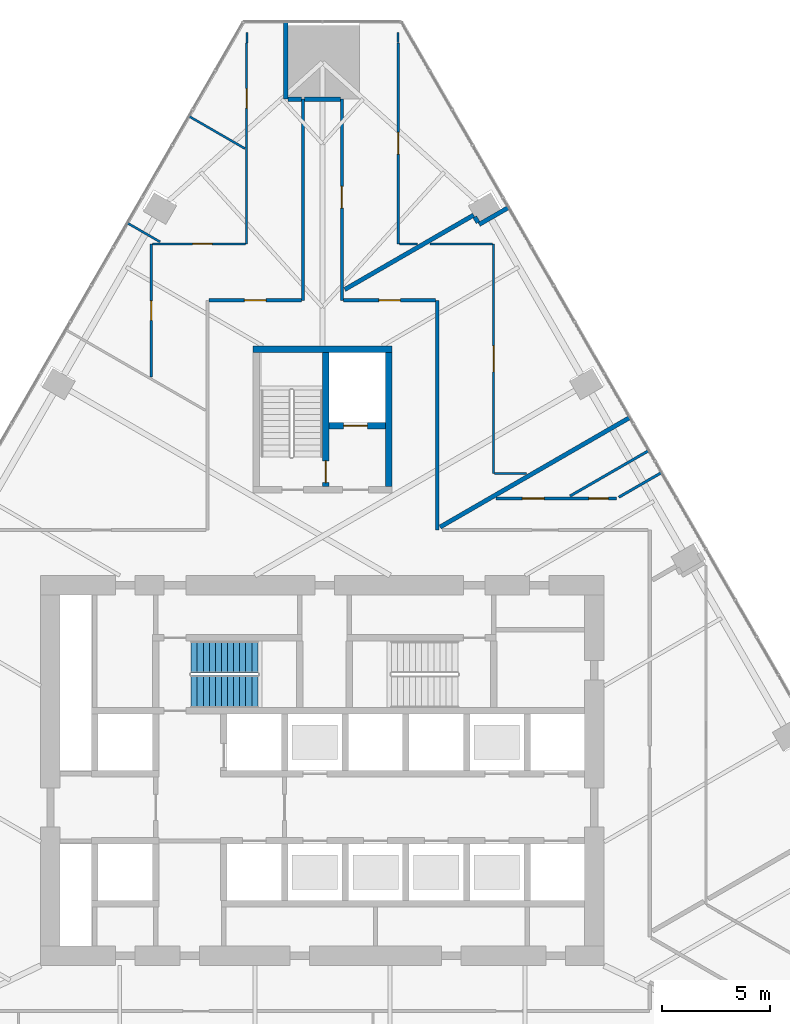
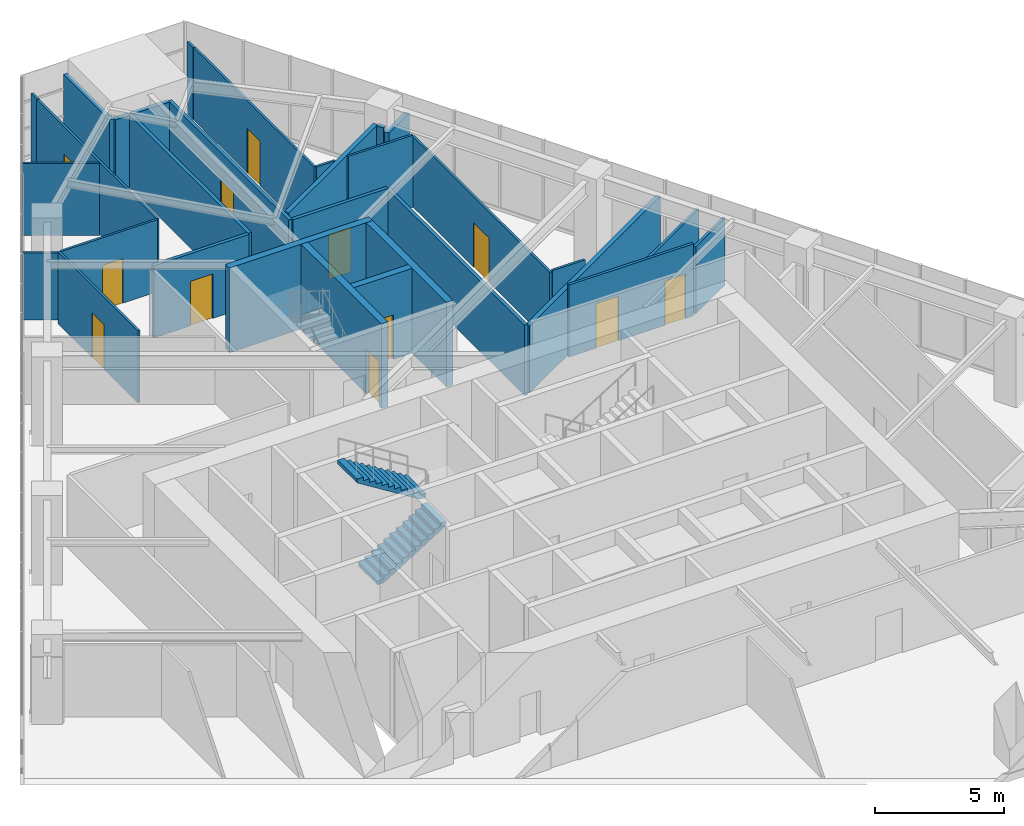
# One storey, part 16 of 19: 31 walls, 12 doors, 2 stair flights, 12 openings, 1 element without a shape of its own.
"""IFC4 building model written with IfcOpenShell, lengths in metres."""

from ifc_helpers import new_model, si_unit, direction, frame, frame_2d, origin, place, context, subcontext, project, spatial, polyline, rectangle, outline, extrude, material, layer, layer_set, type_object, element, fill, aggregate, save


model = new_model("IFC4")

# Units and contexts
model_context = context("Model", 3, precision=1e-05, world=origin(), true_north=direction((0.0, 1.0)))
body_context = subcontext(model_context, "Body", "Model", "MODEL_VIEW")
ifc_project = project(units=[si_unit("LENGTHUNIT", "METRE"), si_unit("AREAUNIT", "SQUARE_METRE"), si_unit("VOLUMEUNIT", "CUBIC_METRE"), si_unit("PLANEANGLEUNIT", "RADIAN"), si_unit("MASSUNIT", "GRAM", prefix="KILO")], contexts=[model_context])

# Site, building, storey
site_placement = place(None, origin())
site = spatial("IfcSite", under=ifc_project, at=site_placement, CompositionType="ELEMENT")
building_placement = place(site_placement, origin())
building = spatial("IfcBuilding", under=site, at=building_placement, Name="Firuza Gate Tower and Library", CompositionType="ELEMENT")
storey_placement = place(building_placement, frame((0.0, 0.0, 103.0)))
storey = spatial("IfcBuildingStorey", under=building, at=storey_placement, Name="L23", CompositionType="ELEMENT", Elevation=103.0)

# Walls
ifc_material_1 = material(Name="Concrete C80/95", Category="concrete")
ifc_layer_1 = layer(ifc_material_1, 0.300048828125)
ifc_layer_set_1 = layer_set([ifc_layer_1], Name="Core wall 300 C80/95")
wall_type_1 = type_object("IfcWallType", Name="Core wall 300 C80/95", PredefinedType="SHEAR", material=ifc_layer_set_1)
wall_1_placement = place(storey_placement, frame((71.800048828125, 94.449951171875, 0.0), z_axis=(0.0, 0.0, 1.0), x_axis=(1.0, 0.0, 0.0)))
element("IfcWall", 1, at=wall_1_placement, inside=storey, type_object=wall_type_1, Name="Core wall L23 35", PredefinedType="SHEAR", context=body_context, shape_type="SweptSolid", body=[
    extrude(rectangle(XDim=6.39990234375, YDim=0.300048828125, at=frame_2d((3.199951171875, 0.0))), origin(), (0.0, 0.0, 1.0), 4.0),
])
wall_2_placement = place(storey_placement, frame((78.050048828125, 88.10009765625, 0.0), z_axis=(0.0, 0.0, 1.0), x_axis=(0.0, 1.0, 0.0)))
element("IfcWall", 2, at=wall_2_placement, inside=storey, type_object=wall_type_1, Name="Core wall L23 37", PredefinedType="SHEAR", context=body_context, shape_type="SweptSolid", body=[
    extrude(rectangle(XDim=6.199951171875, YDim=0.300048828125, at=frame_2d((3.10009765625, 0.0))), origin(), (0.0, 0.0, 1.0), 4.0),
])

# Wall, opening, door
wall_3_placement = place(storey_placement, frame((75.300048828125, 90.89990234375, 0.0), z_axis=(0.0, 0.0, 1.0), x_axis=(1.0, 0.0, 0.0)))
wall_3 = element("IfcWall", 3, at=wall_3_placement, inside=storey, type_object=wall_type_1, Name="Core wall L23 38", PredefinedType="SHEAR", context=body_context, shape_type="SweptSolid", body=[
    extrude(rectangle(XDim=2.599853515625, YDim=0.300048828125, at=frame_2d((1.2998046875, 0.0))), origin(), (0.0, 0.0, 1.0), 4.0),
])
opening_1_placement = place(wall_3_placement, frame((0.675048828125, 0.0, 0.0)))
opening_1 = element("IfcOpeningElement", 4, at=opening_1_placement, cuts=wall_3, Name="Opening LD-SV1-L23", PredefinedType="OPENING", context=body_context, shape_type="SweptSolid", body=[
    extrude(rectangle(XDim=1.10009765625, YDim=2.10009765625, at=frame_2d((0.550048828125, 1.050048828125))), frame((0.0, 0.16015625, 0.0), z_axis=(0.0, -1.0, 0.0), x_axis=(1.0, 0.0, 0.0)), (0.0, 0.0, 1.0), 0.320068359375),
])
ifc_material_2 = material(Name="Stainless steel", Category="steel")
door_type_1 = type_object("IfcDoorType", Name="Lift landing door 1100x2100", OperationType="DOUBLE_DOOR_SLIDING", PredefinedType="DOOR", material=ifc_material_2)
door_1_placement = place(opening_1_placement, origin())
door_1 = element("IfcDoor", 5, at=door_1_placement, inside=storey, type_object=door_type_1, Name="Landing door SV1 L23", OperationType="DOUBLE_DOOR_SLIDING", OverallHeight=2.10009765625, OverallWidth=1.10009765625, PredefinedType="DOOR", context=body_context, shape_type="SweptSolid", body=[
    extrude(rectangle(XDim=1.10009765625, YDim=2.10009765625, at=frame_2d((0.550048828125, 1.050048828125))), frame((0.0, 0.02490234375, 0.0), z_axis=(0.0, -1.0, 0.0), x_axis=(1.0, 0.0, 0.0)), (0.0, 0.0, 1.0), 0.050048828125),
])
fill(opening_1, door_1)

wall_4_placement = place(storey_placement, frame((75.14990234375, 88.10009765625, 0.0), z_axis=(0.0, 0.0, 1.0), x_axis=(0.0, 1.0, 0.0)))
wall_4 = element("IfcWall", 6, at=wall_4_placement, inside=storey, type_object=wall_type_1, Name="Core wall L23 39", PredefinedType="SHEAR", context=body_context, shape_type="SweptSolid", body=[
    extrude(rectangle(XDim=6.199951171875, YDim=0.300048828125, at=frame_2d((3.10009765625, 0.0))), origin(), (0.0, 0.0, 1.0), 4.0),
])
opening_2_placement = place(wall_4_placement, frame((0.18505859375, 0.0, 0.0)))
opening_2 = element("IfcOpeningElement", 7, at=opening_2_placement, cuts=wall_4, Name="Opening L23-K18", PredefinedType="OPENING", context=body_context, shape_type="SweptSolid", body=[
    extrude(rectangle(XDim=1.0, YDim=2.10009765625, at=frame_2d((0.5, 1.050048828125))), frame((0.0, 0.16015625, 0.0), z_axis=(0.0, -1.0, 0.0), x_axis=(1.0, 0.0, 0.0)), (0.0, 0.0, 1.0), 0.320068359375),
])
ifc_material_3 = material(Name="Steel", Category="steel")
door_type_2 = type_object("IfcDoorType", Name="Fire door 1000x2100 FD90", OperationType="NOTDEFINED", PredefinedType="DOOR", material=ifc_material_3)
door_2_placement = place(opening_2_placement, origin())
door_2 = element("IfcDoor", 8, at=door_2_placement, inside=storey, type_object=door_type_2, Name="Door L23-K18", OperationType="SINGLE_SWING_LEFT", OverallHeight=2.10009765625, OverallWidth=1.0, PredefinedType="DOOR", context=body_context, shape_type="SweptSolid", body=[
    extrude(rectangle(XDim=1.0, YDim=2.10009765625, at=frame_2d((0.5, 1.050048828125))), frame((0.0, 0.02490234375, 0.0), z_axis=(0.0, -1.0, 0.0), x_axis=(1.0, 0.0, 0.0)), (0.0, 0.0, 1.0), 0.050048828125),
])
fill(opening_2, door_2)

ifc_material_4 = material(Name="Gypsum board partition")
ifc_layer_2 = layer(ifc_material_4, 0.14990234375)
ifc_layer_set_2 = layer_set([ifc_layer_2], Name="Corridor wall 150 double board on steel studs")
wall_type_2 = type_object("IfcWallType", Name="Corridor wall 150 double board on steel studs", PredefinedType="PARTITIONING", material=ifc_layer_set_2)
wall_5_placement = place(storey_placement, frame((69.775390625, 96.699951171875, 0.0), z_axis=(0.0, 0.0, 1.0), x_axis=(1.0, 0.0, 0.0)))
wall_5 = element("IfcWall", 9, at=wall_5_placement, inside=storey, type_object=wall_type_2, Name="f:L23:w006", PredefinedType="PARTITIONING", context=body_context, shape_type="SweptSolid", body=[
    extrude(rectangle(XDim=4.24951171875, YDim=0.14990234375, at=frame_2d((2.124755859375, 0.0))), origin(), (0.0, 0.0, 1.0), 3.39990234375),
])
opening_3_placement = place(wall_5_placement, frame((1.624755859375, 0.0, 0.0)))
opening_3 = element("IfcOpeningElement", 10, at=opening_3_placement, cuts=wall_5, Name="Opening L23-08", PredefinedType="OPENING", context=body_context, shape_type="SweptSolid", body=[
    extrude(rectangle(XDim=1.0, YDim=2.10009765625, at=frame_2d((0.5, 1.050048828125))), frame((0.0, 0.0849609375, 0.0), z_axis=(0.0, -1.0, 0.0), x_axis=(1.0, 0.0, 0.0)), (0.0, 0.0, 1.0), 0.169921875),
])
ifc_material_5 = material(Name="Steel door and timber leaf", Category="steel")
door_type_3 = type_object("IfcDoorType", Name="Fire door 1000 x 2100 steel frame, timber leaf", OperationType="NOTDEFINED", PredefinedType="DOOR", material=ifc_material_5)
door_3_placement = place(opening_3_placement, origin())
door_3 = element("IfcDoor", 11, at=door_3_placement, inside=storey, type_object=door_type_3, Name="f:L23:d008", OperationType="SINGLE_SWING_RIGHT", OverallHeight=2.10009765625, OverallWidth=1.0, PredefinedType="DOOR", context=body_context, shape_type="SweptSolid", body=[
    extrude(rectangle(XDim=1.0, YDim=2.10009765625, at=frame_2d((0.5, 1.050048828125))), frame((0.0, 0.02490234375, 0.0), z_axis=(0.0, -1.0, 0.0), x_axis=(1.0, 0.0, 0.0)), (0.0, 0.0, 1.0), 0.050048828125),
])
fill(opening_3, door_3)

wall_6_placement = place(storey_placement, frame((80.22509765625, 96.699951171875, 0.0), z_axis=(0.0, 0.0, 1.0), x_axis=(-1.0, 0.0, 0.0)))
wall_6 = element("IfcWall", 12, at=wall_6_placement, inside=storey, type_object=wall_type_2, Name="f:L23:w007", PredefinedType="PARTITIONING", context=body_context, shape_type="SweptSolid", body=[
    extrude(rectangle(XDim=4.25, YDim=0.14990234375, at=frame_2d((2.125, 0.0))), origin(), (0.0, 0.0, 1.0), 3.39990234375),
])
opening_4_placement = place(wall_6_placement, frame((1.625, 0.0, 0.0)))
opening_4 = element("IfcOpeningElement", 13, at=opening_4_placement, cuts=wall_6, Name="Opening L23-09", PredefinedType="OPENING", context=body_context, shape_type="SweptSolid", body=[
    extrude(rectangle(XDim=1.0, YDim=2.10009765625, at=frame_2d((0.5, 1.050048828125))), frame((0.0, 0.0849609375, 0.0), z_axis=(0.0, -1.0, 0.0), x_axis=(1.0, 0.0, 0.0)), (0.0, 0.0, 1.0), 0.169921875),
])
door_4_placement = place(opening_4_placement, origin())
door_4 = element("IfcDoor", 14, at=door_4_placement, inside=storey, type_object=door_type_3, Name="f:L23:d009", OperationType="SINGLE_SWING_RIGHT", OverallHeight=2.10009765625, OverallWidth=1.0, PredefinedType="DOOR", context=body_context, shape_type="SweptSolid", body=[
    extrude(rectangle(XDim=1.0, YDim=2.10009765625, at=frame_2d((0.5, 1.050048828125))), frame((0.0, 0.02490234375, 0.0), z_axis=(0.0, -1.0, 0.0), x_axis=(1.0, 0.0, 0.0)), (0.0, 0.0, 1.0), 0.050048828125),
])
fill(opening_4, door_4)

# Wall
wall_7_placement = place(storey_placement, frame((80.300048828125, 86.10009765625, 0.0), z_axis=(0.0, 0.0, 1.0), x_axis=(0.0, 1.0, 0.0)))
element("IfcWall", 15, at=wall_7_placement, inside=storey, type_object=wall_type_2, Name="f:L23:w035", PredefinedType="PARTITIONING", context=body_context, shape_type="SweptSolid", body=[
    extrude(rectangle(XDim=10.599853515625, YDim=0.14990234375, at=frame_2d((5.2998046875, 0.0))), origin(), (0.0, 0.0, 1.0), 3.322021484375),
])

# Wall, opening, door
wall_8_placement = place(storey_placement, frame((75.89990234375, 105.98193359375, 0.0), z_axis=(0.0, 0.0, 1.0), x_axis=(0.0, -1.0, 0.0)))
wall_8 = element("IfcWall", 16, at=wall_8_placement, inside=storey, type_object=wall_type_2, Name="f:L23:w039", PredefinedType="PARTITIONING", context=body_context, shape_type="SweptSolid", body=[
    extrude(rectangle(XDim=9.281982421875, YDim=0.14990234375, at=frame_2d((4.64111328125, 0.0))), origin(), (0.0, 0.0, 1.0), 3.39990234375),
])
opening_5_placement = place(wall_8_placement, frame((4.03125, 0.0, 0.0)))
opening_5 = element("IfcOpeningElement", 17, at=opening_5_placement, cuts=wall_8, Name="Opening L23-20", PredefinedType="OPENING", context=body_context, shape_type="SweptSolid", body=[
    extrude(rectangle(XDim=1.0, YDim=2.10009765625, at=frame_2d((0.5, 1.050048828125))), frame((0.0, 0.0849609375, 0.0), z_axis=(0.0, -1.0, 0.0), x_axis=(1.0, 0.0, 0.0)), (0.0, 0.0, 1.0), 0.169921875),
])
door_5_placement = place(opening_5_placement, origin())
door_5 = element("IfcDoor", 18, at=door_5_placement, inside=storey, type_object=door_type_3, Name="f:L23:d020", OperationType="SINGLE_SWING_RIGHT", OverallHeight=2.10009765625, OverallWidth=1.0, PredefinedType="DOOR", context=body_context, shape_type="SweptSolid", body=[
    extrude(rectangle(XDim=1.0, YDim=2.10009765625, at=frame_2d((0.5, 1.050048828125))), frame((0.0, 0.02490234375, 0.0), z_axis=(0.0, -1.0, 0.0), x_axis=(1.0, 0.0, 0.0)), (0.0, 0.0, 1.0), 0.050048828125),
])
fill(opening_5, door_5)

# Walls
wall_9_placement = place(storey_placement, frame((74.10009765625, 96.699951171875, 0.0), z_axis=(0.0, 0.0, 1.0), x_axis=(0.0, 1.0, 0.0)))
element("IfcWall", 19, at=wall_9_placement, inside=storey, type_object=wall_type_2, Name="f:L23:w040", PredefinedType="PARTITIONING", context=body_context, shape_type="SweptSolid", body=[
    extrude(rectangle(XDim=9.282470703125, YDim=0.14990234375, at=frame_2d((4.64111328125, 0.0))), origin(), (0.0, 0.0, 1.0), 3.39990234375),
])
ifc_material_6 = material(Name="Gypsum board partition")
ifc_layer_3 = layer(ifc_material_6, 0.199951171875)
ifc_layer_set_3 = layer_set([ifc_layer_3], Name="Demising wall 200 acoustic double stud")
wall_type_3 = type_object("IfcWallType", Name="Demising wall 200 acoustic double stud", PredefinedType="PARTITIONING", material=ifc_layer_set_3)
wall_10_placement = place(storey_placement, frame((73.400390625, 105.98193359375, 0.0), z_axis=(0.0, 0.0, 1.0), x_axis=(1.0, 0.0, 0.0)))
element("IfcWall", 20, at=wall_10_placement, inside=storey, type_object=wall_type_3, Name="f:L23:w010", PredefinedType="PARTITIONING", context=body_context, shape_type="SweptSolid", body=[
    extrude(rectangle(XDim=0.62451171875, YDim=0.199951171875, at=frame_2d((0.312255859375, 0.0))), origin(), (0.0, 0.0, 1.0), 3.39990234375),
])
wall_11_placement = place(storey_placement, frame((80.4267578125, 86.234619140625, 0.0), z_axis=(0.0, 0.0, 1.0), x_axis=(0.8660229921, 0.500004177138, 0.0)))
element("IfcWall", 21, at=wall_11_placement, inside=storey, type_object=wall_type_3, Name="f:L23:w021", PredefinedType="PARTITIONING", context=body_context, shape_type="SweptSolid", body=[
    extrude(rectangle(XDim=10.10205078125, YDim=0.199951171875, at=frame_2d((5.051025390625, 0.0))), origin(), (0.0, 0.0, 1.0), 3.1650390625),
])
wall_12_placement = place(storey_placement, frame((82.228759765625, 100.198486328125, 0.0), z_axis=(0.0, 0.0, 1.0), x_axis=(0.866086524807, 0.499894120338, 0.0)))
element("IfcWall", 22, at=wall_12_placement, inside=storey, type_object=wall_type_3, Name="f:L23:w022", PredefinedType="PARTITIONING", context=body_context, shape_type="SweptSolid", body=[
    extrude(rectangle(XDim=1.559326171875, YDim=0.199951171875, at=frame_2d((0.77978515625, 0.0))), origin(), (0.0, 0.0, 1.0), 3.1650390625),
])
wall_13_placement = place(storey_placement, frame((76.027099609375, 97.1953125, 0.0), z_axis=(0.0, 0.0, 1.0), x_axis=(0.866030564923, 0.49999106054, 0.0)))
element("IfcWall", 23, at=wall_13_placement, inside=storey, type_object=wall_type_3, Name="f:L23:w023", PredefinedType="PARTITIONING", context=body_context, shape_type="SweptSolid", body=[
    extrude(rectangle(XDim=6.871337890625, YDim=0.199951171875, at=frame_2d((3.435546875, 0.0))), origin(), (0.0, 0.0, 1.0), 3.39990234375),
])
wall_14_placement = place(storey_placement, frame((73.300048828125, 105.98291015625, 0.0), z_axis=(0.0, 0.0, 1.0), x_axis=(0.0, 1.0, 0.0)))
element("IfcWall", 24, at=wall_14_placement, inside=storey, type_object=wall_type_3, Name="f:L23:w041", PredefinedType="PARTITIONING", context=body_context, shape_type="SweptSolid", body=[
    extrude(rectangle(XDim=3.5595703125, YDim=0.199951171875, at=frame_2d((1.77978515625, 0.0))), origin(), (0.0, 0.0, 1.0), 3.39990234375),
])
wall_15_placement = place(storey_placement, frame((82.177978515625, 100.28564453125, 0.0), z_axis=(0.0, 0.0, 1.0), x_axis=(-0.500005339912, 0.866022320763, 0.0)))
element("IfcWall", 25, at=wall_15_placement, inside=storey, type_object=wall_type_3, Name="f:L23:w052", PredefinedType="PARTITIONING", context=body_context, shape_type="SweptSolid", body=[
    extrude(rectangle(XDim=0.298828125, YDim=0.199951171875, at=frame_2d((0.1494140625, 0.0))), origin(), (0.0, 0.0, 1.0), 3.39990234375),
])
wall_16_placement = place(storey_placement, frame((74.175048828125, 105.98193359375, 0.0), z_axis=(0.0, 0.0, 1.0), x_axis=(1.0, 0.0, 0.0)))
element("IfcWall", 26, at=wall_16_placement, inside=storey, type_object=wall_type_3, Name="f:L23:w069", PredefinedType="PARTITIONING", context=body_context, shape_type="SweptSolid", body=[
    extrude(rectangle(XDim=1.6494140625, YDim=0.199951171875, at=frame_2d((0.82470703125, 0.0))), origin(), (0.0, 0.0, 1.0), 3.39697265625),
])
ifc_material_7 = material(Name="Gypsum board partition")
ifc_layer_4 = layer(ifc_material_7, 0.10009765625)
ifc_layer_set_4 = layer_set([ifc_layer_4], Name="Partition 100 gypsum board on steel studs")
wall_type_4 = type_object("IfcWallType", Name="Partition 100 gypsum board on steel studs", PredefinedType="PARTITIONING", material=ifc_layer_set_4)
wall_17_placement = place(storey_placement, frame((82.949951171875, 88.699951171875, 0.0), z_axis=(0.0, 0.0, 1.0), x_axis=(1.0, 0.0, 0.0)))
element("IfcWall", 27, at=wall_17_placement, inside=storey, type_object=wall_type_4, Name="f:L23:w005", PredefinedType="PARTITIONING", context=body_context, shape_type="SweptSolid", body=[
    extrude(rectangle(XDim=1.457763671875, YDim=0.10009765625, at=frame_2d((0.72900390625, 0.0))), origin(), (0.0, 0.0, 1.0), 3.39990234375),
])

# Wall, opening, door
wall_18_placement = place(storey_placement, frame((67.14990234375, 99.300048828125, 0.0), z_axis=(0.0, 0.0, 1.0), x_axis=(1.0, 0.0, 0.0)))
wall_18 = element("IfcWall", 28, at=wall_18_placement, inside=storey, type_object=wall_type_4, Name="f:L23:w008", PredefinedType="PARTITIONING", context=body_context, shape_type="SweptSolid", body=[
    extrude(rectangle(XDim=4.300048828125, YDim=0.10009765625, at=frame_2d((2.14990234375, 0.0))), origin(), (0.0, 0.0, 1.0), 3.39990234375),
])
opening_6_placement = place(wall_18_placement, frame((1.85693359375, 0.0, 0.0)))
opening_6 = element("IfcOpeningElement", 29, at=opening_6_placement, cuts=wall_18, Name="Opening L23-10", PredefinedType="OPENING", context=body_context, shape_type="SweptSolid", body=[
    extrude(rectangle(XDim=0.89990234375, YDim=2.10009765625, at=frame_2d((0.449951171875, 1.050048828125))), frame((0.0, 0.06005859375, 0.0), z_axis=(0.0, -1.0, 0.0), x_axis=(1.0, 0.0, 0.0)), (0.0, 0.0, 1.0), 0.1201171875),
])
ifc_material_8 = material(Name="Timber door", Category="wood")
door_type_4 = type_object("IfcDoorType", Name="Door 900 x 2100 timber leaf", OperationType="NOTDEFINED", PredefinedType="DOOR", material=ifc_material_8)
door_6_placement = place(opening_6_placement, origin())
door_6 = element("IfcDoor", 30, at=door_6_placement, inside=storey, type_object=door_type_4, Name="f:L23:d010", OperationType="SINGLE_SWING_RIGHT", OverallHeight=2.10009765625, OverallWidth=0.89990234375, PredefinedType="DOOR", context=body_context, shape_type="SweptSolid", body=[
    extrude(rectangle(XDim=0.89990234375, YDim=2.10009765625, at=frame_2d((0.449951171875, 1.050048828125))), frame((0.0, 0.02490234375, 0.0), z_axis=(0.0, -1.0, 0.0), x_axis=(1.0, 0.0, 0.0)), (0.0, 0.0, 1.0), 0.050048828125),
])
fill(opening_6, door_6)

# Wall
wall_19_placement = place(storey_placement, frame((78.550537109375, 99.300048828125, 0.0), z_axis=(0.0, 0.0, 1.0), x_axis=(1.0, 0.0, 0.0)))
element("IfcWall", 31, at=wall_19_placement, inside=storey, type_object=wall_type_4, Name="f:L23:w009", PredefinedType="PARTITIONING", context=body_context, shape_type="SweptSolid", body=[
    extrude(rectangle(XDim=0.83544921875, YDim=0.10009765625, at=frame_2d((0.417724609375, 0.0))), origin(), (0.0, 0.0, 1.0), 3.39990234375),
])

# Wall, opening, door
wall_20_placement = place(storey_placement, frame((82.89990234375, 88.699951171875, 0.0), z_axis=(0.0, 0.0, 1.0), x_axis=(0.0, 1.0, 0.0)))
wall_20 = element("IfcWall", 32, at=wall_20_placement, inside=storey, type_object=wall_type_4, Name="f:L23:w034", PredefinedType="PARTITIONING", context=body_context, shape_type="SweptSolid", body=[
    extrude(rectangle(XDim=10.60009765625, YDim=0.10009765625, at=frame_2d((5.300048828125, 0.0))), origin(), (0.0, 0.0, 1.0), 3.322021484375),
])
opening_7_placement = place(wall_20_placement, frame((4.699951171875, 0.0, 0.0)))
opening_7 = element("IfcOpeningElement", 33, at=opening_7_placement, cuts=wall_20, Name="Opening L23-18", PredefinedType="OPENING", context=body_context, shape_type="SweptSolid", body=[
    extrude(rectangle(XDim=1.199951171875, YDim=2.10009765625, at=frame_2d((0.60009765625, 1.050048828125))), frame((0.0, 0.06005859375, 0.0), z_axis=(0.0, -1.0, 0.0), x_axis=(1.0, 0.0, 0.0)), (0.0, 0.0, 1.0), 0.1201171875),
])
ifc_material_9 = material(Name="Glazed aluminium door", Category="aluminium")
door_type_5 = type_object("IfcDoorType", Name="Door 1200 x 2100 glazed double leaf", OperationType="NOTDEFINED", PredefinedType="DOOR", material=ifc_material_9)
door_7_placement = place(opening_7_placement, origin())
door_7 = element("IfcDoor", 34, at=door_7_placement, inside=storey, type_object=door_type_5, Name="f:L23:d018", OperationType="DOUBLE_DOOR_SINGLE_SWING", OverallHeight=2.10009765625, OverallWidth=1.199951171875, PredefinedType="DOOR", context=body_context, shape_type="SweptSolid", body=[
    extrude(rectangle(XDim=1.199951171875, YDim=2.10009765625, at=frame_2d((0.60009765625, 1.050048828125))), frame((0.0, 0.02490234375, 0.0), z_axis=(0.0, -1.0, 0.0), x_axis=(1.0, 0.0, 0.0)), (0.0, 0.0, 1.0), 0.050048828125),
])
fill(opening_7, door_7)

wall_21_placement = place(storey_placement, frame((78.5, 99.300537109375, 0.0), z_axis=(0.0, 0.0, 1.0), x_axis=(0.0, 1.0, 0.0)))
wall_21 = element("IfcWall", 35, at=wall_21_placement, inside=storey, type_object=wall_type_4, Name="f:L23:w036", PredefinedType="PARTITIONING", context=body_context, shape_type="SweptSolid", body=[
    extrude(rectangle(XDim=9.28173828125, YDim=0.10009765625, at=frame_2d((4.640869140625, 0.0))), origin(), (0.0, 0.0, 1.0), 3.39990234375),
])
opening_8_placement = place(wall_21_placement, frame((4.140869140625, 0.0, 0.0)))
opening_8 = element("IfcOpeningElement", 36, at=opening_8_placement, cuts=wall_21, Name="Opening L23-19", PredefinedType="OPENING", context=body_context, shape_type="SweptSolid", body=[
    extrude(rectangle(XDim=1.0, YDim=2.10009765625, at=frame_2d((0.5, 1.050048828125))), frame((0.0, 0.06005859375, 0.0), z_axis=(0.0, -1.0, 0.0), x_axis=(1.0, 0.0, 0.0)), (0.0, 0.0, 1.0), 0.1201171875),
])
ifc_material_10 = material(Name="Timber door", Category="wood")
door_type_6 = type_object("IfcDoorType", Name="Door 1000 x 2100 timber leaf", OperationType="NOTDEFINED", PredefinedType="DOOR", material=ifc_material_10)
door_8_placement = place(opening_8_placement, origin())
door_8 = element("IfcDoor", 37, at=door_8_placement, inside=storey, type_object=door_type_6, Name="f:L23:d019", OperationType="SINGLE_SWING_RIGHT", OverallHeight=2.10009765625, OverallWidth=1.0, PredefinedType="DOOR", context=body_context, shape_type="SweptSolid", body=[
    extrude(rectangle(XDim=1.0, YDim=2.10009765625, at=frame_2d((0.5, 1.050048828125))), frame((0.0, 0.02490234375, 0.0), z_axis=(0.0, -1.0, 0.0), x_axis=(1.0, 0.0, 0.0)), (0.0, 0.0, 1.0), 0.050048828125),
])
fill(opening_8, door_8)

# Walls
wall_22_placement = place(storey_placement, frame((78.48095703125, 108.5830078125, 0.0), z_axis=(0.0, 0.0, 1.0), x_axis=(0.0, 1.0, 0.0)))
element("IfcWall", 38, at=wall_22_placement, inside=storey, type_object=wall_type_4, Name="f:L23:w037", PredefinedType="PARTITIONING", context=body_context, shape_type="SweptSolid", body=[
    extrude(rectangle(XDim=0.47265625, YDim=0.10009765625, at=frame_2d((0.236328125, 0.0))), origin(), (0.0, 0.0, 1.0), 3.39990234375),
])
wall_23_placement = place(storey_placement, frame((71.51904296875, 108.58251953125, 0.0), z_axis=(0.0, 0.0, 1.0), x_axis=(0.0, 1.0, 0.0)))
element("IfcWall", 39, at=wall_23_placement, inside=storey, type_object=wall_type_4, Name="f:L23:w042", PredefinedType="PARTITIONING", context=body_context, shape_type="SweptSolid", body=[
    extrude(rectangle(XDim=0.47314453125, YDim=0.10009765625, at=frame_2d((0.236572265625, 0.0))), origin(), (0.0, 0.0, 1.0), 3.39990234375),
])

# Wall, opening, door
wall_24_placement = place(storey_placement, frame((71.5, 99.300048828125, 0.0), z_axis=(0.0, 0.0, 1.0), x_axis=(0.0, 1.0, 0.0)))
wall_24 = element("IfcWall", 40, at=wall_24_placement, inside=storey, type_object=wall_type_4, Name="f:L23:w043", PredefinedType="PARTITIONING", context=body_context, shape_type="SweptSolid", body=[
    extrude(rectangle(XDim=9.28173828125, YDim=0.10009765625, at=frame_2d((4.640869140625, 0.0))), origin(), (0.0, 0.0, 1.0), 3.39990234375),
])
opening_9_placement = place(wall_24_placement, frame((6.26708984375, 0.0, 0.0)))
opening_9 = element("IfcOpeningElement", 41, at=opening_9_placement, cuts=wall_24, Name="Opening L23-21", PredefinedType="OPENING", context=body_context, shape_type="SweptSolid", body=[
    extrude(rectangle(XDim=0.89990234375, YDim=2.10009765625, at=frame_2d((0.449951171875, 1.050048828125))), frame((0.0, 0.06005859375, 0.0), z_axis=(0.0, -1.0, 0.0), x_axis=(1.0, 0.0, 0.0)), (0.0, 0.0, 1.0), 0.1201171875),
])
door_9_placement = place(opening_9_placement, origin())
door_9 = element("IfcDoor", 42, at=door_9_placement, inside=storey, type_object=door_type_4, Name="f:L23:d021", OperationType="SINGLE_SWING_LEFT", OverallHeight=2.10009765625, OverallWidth=0.89990234375, PredefinedType="DOOR", context=body_context, shape_type="SweptSolid", body=[
    extrude(rectangle(XDim=0.89990234375, YDim=2.10009765625, at=frame_2d((0.449951171875, 1.050048828125))), frame((0.0, 0.02490234375, 0.0), z_axis=(0.0, -1.0, 0.0), x_axis=(1.0, 0.0, 0.0)), (0.0, 0.0, 1.0), 0.050048828125),
])
fill(opening_9, door_9)

wall_25_placement = place(storey_placement, frame((67.10009765625, 99.300048828125, 0.0), z_axis=(0.0, 0.0, 1.0), x_axis=(0.0, -1.0, 0.0)))
wall_25 = element("IfcWall", 43, at=wall_25_placement, inside=storey, type_object=wall_type_4, Name="f:L23:w045", PredefinedType="PARTITIONING", context=body_context, shape_type="SweptSolid", body=[
    extrude(rectangle(XDim=6.149658203125, YDim=0.10009765625, at=frame_2d((3.07470703125, 0.0))), origin(), (0.0, 0.0, 1.0), 3.39990234375),
])
opening_10_placement = place(wall_25_placement, frame((2.624755859375, 0.0, 0.0)))
opening_10 = element("IfcOpeningElement", 44, at=opening_10_placement, cuts=wall_25, Name="Opening L23-22", PredefinedType="OPENING", context=body_context, shape_type="SweptSolid", body=[
    extrude(rectangle(XDim=0.89990234375, YDim=2.10009765625, at=frame_2d((0.449951171875, 1.050048828125))), frame((0.0, 0.06005859375, 0.0), z_axis=(0.0, -1.0, 0.0), x_axis=(1.0, 0.0, 0.0)), (0.0, 0.0, 1.0), 0.1201171875),
])
door_10_placement = place(opening_10_placement, origin())
door_10 = element("IfcDoor", 45, at=door_10_placement, inside=storey, type_object=door_type_4, Name="f:L23:d022", OperationType="SINGLE_SWING_RIGHT", OverallHeight=2.10009765625, OverallWidth=0.89990234375, PredefinedType="DOOR", context=body_context, shape_type="SweptSolid", body=[
    extrude(rectangle(XDim=0.89990234375, YDim=2.10009765625, at=frame_2d((0.449951171875, 1.050048828125))), frame((0.0, 0.02490234375, 0.0), z_axis=(0.0, -1.0, 0.0), x_axis=(1.0, 0.0, 0.0)), (0.0, 0.0, 1.0), 0.050048828125),
])
fill(opening_10, door_10)

# Walls
wall_26_placement = place(storey_placement, frame((71.424072265625, 103.698974609375, 0.0), z_axis=(0.0, 0.0, 1.0), x_axis=(-0.866010510293, 0.500025795397, 0.0)))
element("IfcWall", 46, at=wall_26_placement, inside=storey, type_object=wall_type_4, Name="f:L23:w054", PredefinedType="PARTITIONING", context=body_context, shape_type="SweptSolid", body=[
    extrude(rectangle(XDim=2.972412109375, YDim=0.10009765625, at=frame_2d((1.486328125, 0.0))), origin(), (0.0, 0.0, 1.0), 3.39990234375),
])
wall_27_placement = place(storey_placement, frame((67.50537109375, 99.394775390625, 0.0), z_axis=(0.0, 0.0, 1.0), x_axis=(-0.866021168401, 0.500007335828, 0.0)))
element("IfcWall", 47, at=wall_27_placement, inside=storey, type_object=wall_type_4, Name="f:L23:w055", PredefinedType="PARTITIONING", context=body_context, shape_type="SweptSolid", body=[
    extrude(rectangle(XDim=1.73095703125, YDim=0.10009765625, at=frame_2d((0.865478515625, 0.0))), origin(), (0.0, 0.0, 1.0), 3.1650390625),
])
wall_28_placement = place(storey_placement, frame((79.959228515625, 99.300048828125, 0.0), z_axis=(0.0, 0.0, 1.0), x_axis=(1.0, 0.0, 0.0)))
element("IfcWall", 48, at=wall_28_placement, inside=storey, type_object=wall_type_4, Name="f:L23:w068", PredefinedType="PARTITIONING", context=body_context, shape_type="SweptSolid", body=[
    extrude(rectangle(XDim=2.890869140625, YDim=0.10009765625, at=frame_2d((1.4453125, 0.0))), origin(), (0.0, 0.0, 1.0), 3.39990234375),
])

# Wall, openings, doors
ifc_material_11 = material(Name="Gypsum board partition")
ifc_layer_5 = layer(ifc_material_11, 0.1201171875)
ifc_layer_set_5 = layer_set([ifc_layer_5], Name="Wet-area partition 120 moisture-resistant board")
wall_type_5 = type_object("IfcWallType", Name="Wet-area partition 120 moisture-resistant board", PredefinedType="PARTITIONING", material=ifc_layer_set_5)
wall_29_placement = place(storey_placement, frame((88.570556640625, 87.550048828125, 0.0), z_axis=(0.0, 0.0, 1.0), x_axis=(-1.0, 0.0, 0.0)))
wall_29 = element("IfcWall", 49, at=wall_29_placement, inside=storey, type_object=wall_type_5, Name="f:L23:w004", PredefinedType="PARTITIONING", context=body_context, shape_type="SweptSolid", body=[
    extrude(rectangle(XDim=5.554443359375, YDim=0.1201171875, at=frame_2d((2.77734375, 0.0))), origin(), (0.0, 0.0, 1.0), 3.39990234375),
])
opening_11_placement = place(wall_29_placement, frame((0.37451171875, 0.0, 0.0)))
opening_11 = element("IfcOpeningElement", 50, at=opening_11_placement, cuts=wall_29, Name="Opening L23-06", PredefinedType="OPENING", context=body_context, shape_type="SweptSolid", body=[
    extrude(rectangle(XDim=0.89990234375, YDim=2.10009765625, at=frame_2d((0.449951171875, 1.050048828125))), frame((0.0, 0.070068359375, 0.0), z_axis=(0.0, -1.0, 0.0), x_axis=(1.0, 0.0, 0.0)), (0.0, 0.0, 1.0), 0.14013671875),
])
opening_12_placement = place(wall_29_placement, frame((3.34716796875, 0.0, 0.0)))
opening_12 = element("IfcOpeningElement", 51, at=opening_12_placement, cuts=wall_29, Name="Opening L23-07", PredefinedType="OPENING", context=body_context, shape_type="SweptSolid", body=[
    extrude(rectangle(XDim=1.0, YDim=2.10009765625, at=frame_2d((0.5, 1.050048828125))), frame((0.0, 0.070068359375, 0.0), z_axis=(0.0, -1.0, 0.0), x_axis=(1.0, 0.0, 0.0)), (0.0, 0.0, 1.0), 0.14013671875),
])
door_11_placement = place(opening_12_placement, origin())
door_11 = element("IfcDoor", 52, at=door_11_placement, inside=storey, type_object=door_type_6, Name="f:L23:d007", OperationType="SINGLE_SWING_RIGHT", OverallHeight=2.10009765625, OverallWidth=1.0, PredefinedType="DOOR", context=body_context, shape_type="SweptSolid", body=[
    extrude(rectangle(XDim=1.0, YDim=2.10009765625, at=frame_2d((0.5, 1.050048828125))), frame((0.0, 0.02490234375, 0.0), z_axis=(0.0, -1.0, 0.0), x_axis=(1.0, 0.0, 0.0)), (0.0, 0.0, 1.0), 0.050048828125),
])
fill(opening_12, door_11)
door_12_placement = place(opening_11_placement, origin())
door_12 = element("IfcDoor", 53, at=door_12_placement, inside=storey, type_object=door_type_4, Name="f:L23:d006", OperationType="SINGLE_SWING_LEFT", OverallHeight=2.10009765625, OverallWidth=0.89990234375, PredefinedType="DOOR", context=body_context, shape_type="SweptSolid", body=[
    extrude(rectangle(XDim=0.89990234375, YDim=2.10009765625, at=frame_2d((0.449951171875, 1.050048828125))), frame((0.0, 0.02490234375, 0.0), z_axis=(0.0, -1.0, 0.0), x_axis=(1.0, 0.0, 0.0)), (0.0, 0.0, 1.0), 0.050048828125),
])
fill(opening_11, door_12)

# Walls
wall_30_placement = place(storey_placement, frame((88.674560546875, 87.60986328125, 0.0), z_axis=(0.0, 0.0, 1.0), x_axis=(0.866038828342, 0.499976747263, 0.0)))
element("IfcWall", 54, at=wall_30_placement, inside=storey, type_object=wall_type_5, Name="f:L23:w019", PredefinedType="PARTITIONING", context=body_context, shape_type="SweptSolid", body=[
    extrude(rectangle(XDim=2.271484375, YDim=0.1201171875, at=frame_2d((1.1357421875, 0.0))), origin(), (0.0, 0.0, 1.0), 3.1650390625),
])
wall_31_placement = place(storey_placement, frame((86.423828125, 87.664794921875, 0.0), z_axis=(0.0, 0.0, 1.0), x_axis=(0.866012997078, 0.50002148843, 0.0)))
element("IfcWall", 55, at=wall_31_placement, inside=storey, type_object=wall_type_5, Name="f:L23:w020", PredefinedType="PARTITIONING", context=body_context, shape_type="SweptSolid", body=[
    extrude(rectangle(XDim=4.193115234375, YDim=0.1201171875, at=frame_2d((2.0966796875, 0.0))), origin(), (0.0, 0.0, 1.0), 3.1650390625),
])

# Stair, stair flights
ifc_material_12 = material(Name="Concrete C35/45", Category="concrete")
stair_type = type_object("IfcStairType", Name="Exit stair ST5", PredefinedType="HALF_TURN_STAIR", material=ifc_material_12)
stair_placement = place(storey_placement, origin())
stair = element("IfcStair", 56, at=stair_placement, inside=storey, type_object=stair_type, Name="L23 Stair ST1", PredefinedType="HALF_TURN_STAIR")
ifc_material_13 = material(Name="Concrete C35/45", Category="concrete")
stair_flight_type = type_object("IfcStairFlightType", Name="Stair flight 12 risers 175 width 1490", PredefinedType="STRAIGHT", material=ifc_material_13)
stair_flight_1_placement = place(storey_placement, frame((68.93994140625, 78.64501953125, 0.0), z_axis=(0.0, 0.0, 1.0), x_axis=(1.0, 0.0, 0.0)))
stair_flight_1 = element("IfcStairFlight", 57, at=stair_flight_1_placement, type_object=stair_flight_type, Name="ST1 flight 1", NumberOfRisers=12, NumberOfTreads=11, PredefinedType="STRAIGHT", RiserHeight=0.175, TreadLength=0.28, context=body_context, shape_type="SweptSolid", body=[
    extrude(outline(polyline([(0.0, 0.0), (0.0, 0.175048828125), (0.280029296875, 0.175048828125), (0.280029296875, 0.35009765625), (0.56005859375, 0.35009765625), (0.56005859375, 0.52490234375), (0.840087890625, 0.52490234375), (0.840087890625, 0.699951171875), (1.1201171875, 0.699951171875), (1.1201171875, 0.875), (1.39990234375, 0.875), (1.39990234375, 1.050048828125), (1.679931640625, 1.050048828125), (1.679931640625, 1.22509765625), (1.9599609375, 1.22509765625), (1.9599609375, 1.39990234375), (2.239990234375, 1.39990234375), (2.239990234375, 1.574951171875), (2.52001953125, 1.574951171875), (2.52001953125, 1.75), (2.800048828125, 1.75), (2.800048828125, 1.925048828125), (3.080078125, 1.925048828125), (3.080078125, 2.10009765625), (3.080078125, 1.748291015625), (0.28271484375, 0.0), (0.0, 0.0)])), frame((0.0, 0.7451171875, 0.0), z_axis=(0.0, -1.0, 0.0), x_axis=(1.0, 0.0, 0.0)), (0.0, 0.0, 1.0), 1.489990234375),
])
stair_flight_2_placement = place(storey_placement, frame((72.02001953125, 80.235107421875, 2.10009765625), z_axis=(0.0, 0.0, 1.0), x_axis=(-1.0, 0.0, 0.0)))
stair_flight_2 = element("IfcStairFlight", 58, at=stair_flight_2_placement, type_object=stair_flight_type, Name="ST1 flight 2", NumberOfRisers=12, NumberOfTreads=11, PredefinedType="STRAIGHT", RiserHeight=0.175, TreadLength=0.28, context=body_context, shape_type="SweptSolid", body=[
    extrude(outline(polyline([(0.0, 0.0), (0.0, 0.175048828125), (0.280029296875, 0.175048828125), (0.280029296875, 0.35009765625), (0.56005859375, 0.35009765625), (0.56005859375, 0.52490234375), (0.840087890625, 0.52490234375), (0.840087890625, 0.699951171875), (1.1201171875, 0.699951171875), (1.1201171875, 0.875), (1.39990234375, 0.875), (1.39990234375, 1.050048828125), (1.679931640625, 1.050048828125), (1.679931640625, 1.22509765625), (1.9599609375, 1.22509765625), (1.9599609375, 1.39990234375), (2.239990234375, 1.39990234375), (2.239990234375, 1.574951171875), (2.52001953125, 1.574951171875), (2.52001953125, 1.75), (2.800048828125, 1.75), (2.800048828125, 1.925048828125), (3.080078125, 1.925048828125), (3.080078125, 2.10009765625), (3.080078125, 1.748291015625), (0.28271484375, 0.0), (0.0, 0.0)])), frame((0.0, 0.7451171875, 0.0), z_axis=(0.0, -1.0, 0.0), x_axis=(1.0, 0.0, 0.0)), (0.0, 0.0, 1.0), 1.489990234375),
])
aggregate(stair, [stair_flight_1, stair_flight_2])

save(model, "model.ifc")
